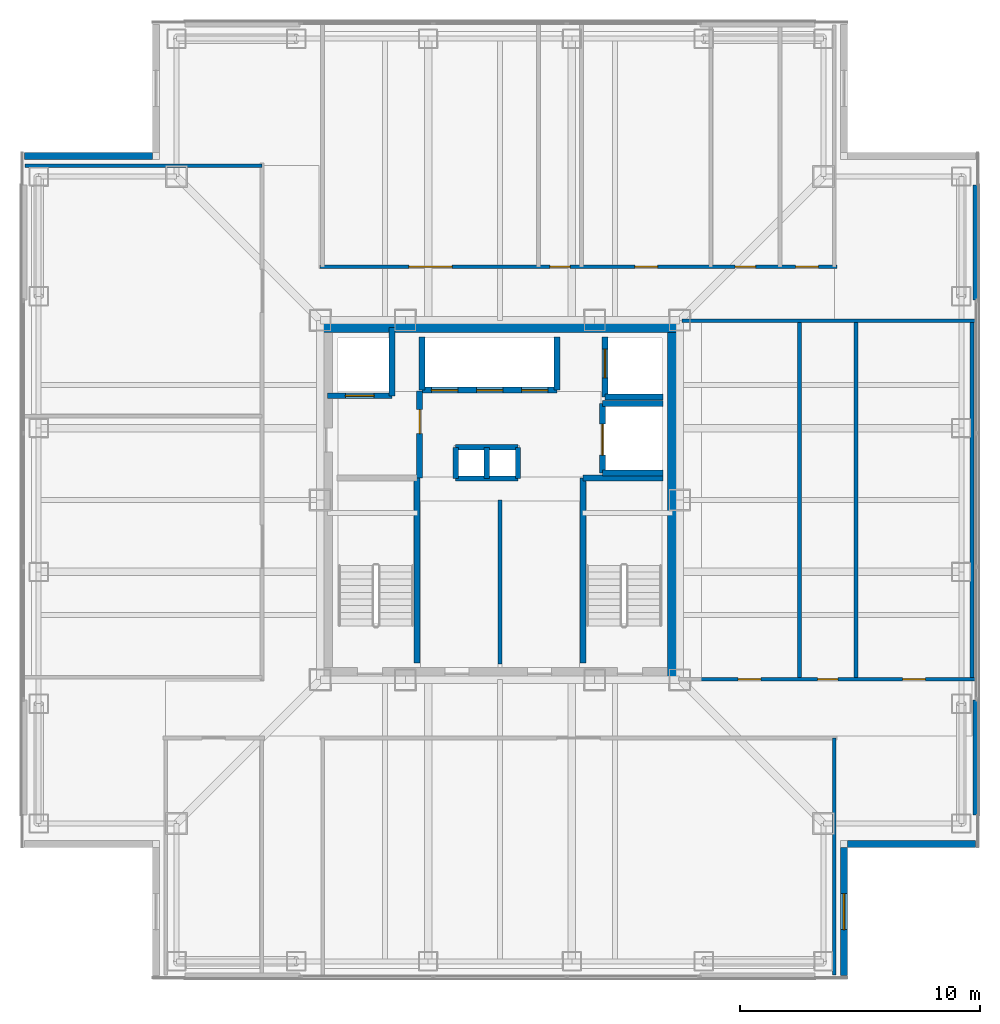
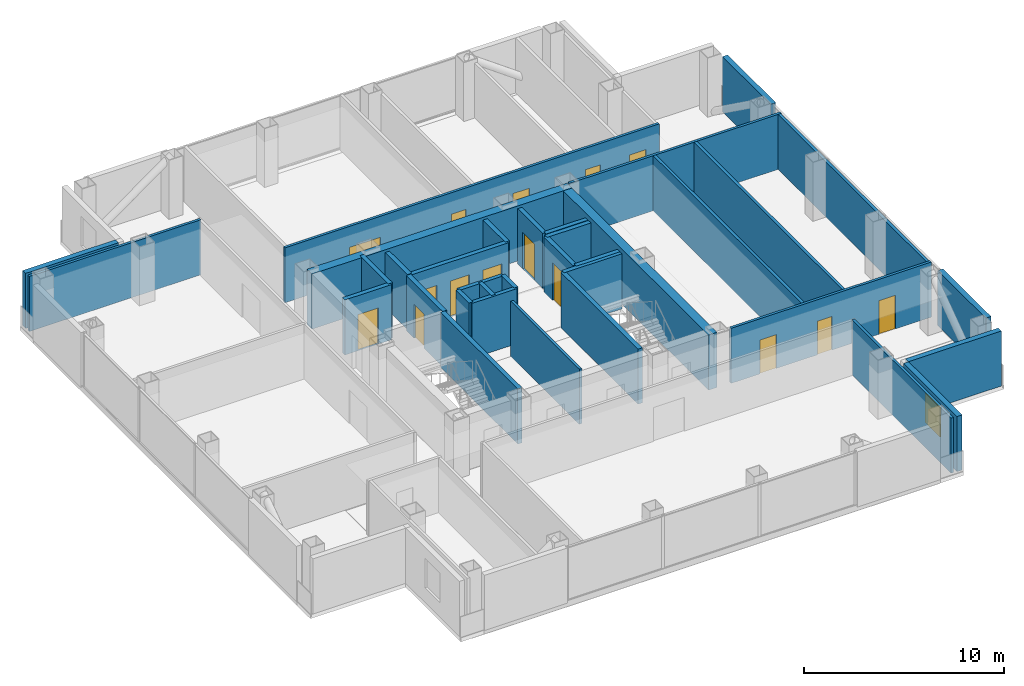
# One storey, part 9 of 16: 35 walls, 15 doors, 1 window, 16 openings.
"""IFC4 building model written with IfcOpenShell, lengths in metres."""

from ifc_helpers import new_model, si_unit, direction, frame, frame_2d, origin, place, context, subcontext, project, spatial, rectangle, extrude, material, layer, layer_set, type_object, element, fill, save


model = new_model("IFC4")

# Units and contexts
model_context = context("Model", 3, precision=1e-05, world=origin(), true_north=direction((0.0, 1.0)))
body_context = subcontext(model_context, "Body", "Model", "MODEL_VIEW")
ifc_project = project(units=[si_unit("LENGTHUNIT", "METRE"), si_unit("AREAUNIT", "SQUARE_METRE"), si_unit("VOLUMEUNIT", "CUBIC_METRE"), si_unit("PLANEANGLEUNIT", "RADIAN"), si_unit("MASSUNIT", "GRAM", prefix="KILO")], contexts=[model_context])

# Site, building, storey
site_placement = place(None, origin())
site = spatial("IfcSite", under=ifc_project, at=site_placement, CompositionType="ELEMENT")
building_placement = place(site_placement, origin())
building = spatial("IfcBuilding", under=site, at=building_placement, Name="Trevonay Congress Spire", CompositionType="ELEMENT")
storey_placement = place(building_placement, frame((0.0, 0.0, 180.60009765625)))
storey = spatial("IfcBuildingStorey", under=building, at=storey_placement, Name="L46", CompositionType="ELEMENT", Elevation=180.60009765625)

# Walls
ifc_material_1 = material(Name="Concrete C50/60", Category="concrete")
ifc_layer_1 = layer(ifc_material_1, 0.5, Name="Concrete C50/60")
ifc_layer_set_1 = layer_set([ifc_layer_1], Name="Concrete C50/60")
wall_type_1 = type_object("IfcWallType", Name="WAL-CORE-500", PredefinedType="SHEAR", material=ifc_layer_set_1)
for number, where, z_axis, x_axis, name in (
    (1, (-7.5, 7.25, 0.0), (0.0, 0.0, 1.0), (1.0, 0.0, 0.0), "L46 North structural core shear wall"),
    (2, (7.25, -7.5, 0.0), (0.0, 0.0, 1.0), (0.0, 1.0, 0.0), "L46 East structural core shear wall"),
):
    element("IfcWall", number, at=place(storey_placement, frame(where, z_axis=z_axis, x_axis=x_axis)), inside=storey, type_object=wall_type_1, Name=name, PredefinedType="SHEAR", context=body_context, shape_type="SweptSolid", body=[
        extrude(rectangle(XDim=15.0, YDim=0.5, at=frame_2d((7.5, 0.0))), origin(), (0.0, 0.0, 1.0), 3.35986328125),
    ])

# Wall, openings, doors
ifc_material_2 = material(Name="Concrete C40/50", Category="concrete")
ifc_layer_2 = layer(ifc_material_2, 0.14990234375, Name="Concrete C40/50")
ifc_layer_set_2 = layer_set([ifc_layer_2], Name="Concrete C40/50")
wall_type_2 = type_object("IfcWallType", Name="WAL-CORR-150", PredefinedType="PARTITIONING", material=ifc_layer_set_2)
wall_1_placement = place(storey_placement, frame((-7.52001953125, 9.72998046875, 0.0), z_axis=(0.0, 0.0, 1.0), x_axis=(1.0, 0.0, 0.0)))
wall_1 = element("IfcWall", 3, at=wall_1_placement, inside=storey, type_object=wall_type_2, Name="L46 interior wall WP-L46N-COR", PredefinedType="PARTITIONING", context=body_context, shape_type="SweptSolid", body=[
    extrude(rectangle(XDim=21.590087890625, YDim=0.14990234375, at=frame_2d((10.794921875, 0.0))), origin(), (0.0, 0.0, 1.0), 3.35986328125),
])
opening_1_placement = place(wall_1_placement, frame((3.719970703125, 0.0, 0.0)))
opening_1 = element("IfcOpeningElement", 4, at=opening_1_placement, cuts=wall_1, Name="Opening D09", PredefinedType="OPENING", context=body_context, shape_type="SweptSolid", body=[
    extrude(rectangle(XDim=1.800048828125, YDim=2.080078125, at=frame_2d((0.89990234375, 1.0400390625))), frame((0.0, 0.0849609375, 0.0), z_axis=(0.0, -1.0, 0.0), x_axis=(1.0, 0.0, 0.0)), (0.0, 0.0, 1.0), 0.169921875),
])
opening_2_placement = place(wall_1_placement, frame((9.60009765625, 0.0, 0.0)))
opening_2 = element("IfcOpeningElement", 5, at=opening_2_placement, cuts=wall_1, Name="Opening D10", PredefinedType="OPENING", context=body_context, shape_type="SweptSolid", body=[
    extrude(rectangle(XDim=0.85009765625, YDim=2.050048828125, at=frame_2d((0.425048828125, 1.02490234375))), frame((0.0, 0.0849609375, 0.0), z_axis=(0.0, -1.0, 0.0), x_axis=(1.0, 0.0, 0.0)), (0.0, 0.0, 1.0), 0.169921875),
])
opening_3_placement = place(wall_1_placement, frame((13.14990234375, 0.0, 0.0)))
opening_3 = element("IfcOpeningElement", 6, at=opening_3_placement, cuts=wall_1, Name="Opening D07", PredefinedType="OPENING", context=body_context, shape_type="SweptSolid", body=[
    extrude(rectangle(XDim=0.949951171875, YDim=2.06005859375, at=frame_2d((0.47509765625, 1.030029296875))), frame((0.0, 0.0849609375, 0.0), z_axis=(0.0, -1.0, 0.0), x_axis=(1.0, 0.0, 0.0)), (0.0, 0.0, 1.0), 0.169921875),
])
opening_4_placement = place(wall_1_placement, frame((17.3349609375, 0.0, 0.0)))
opening_4 = element("IfcOpeningElement", 7, at=opening_4_placement, cuts=wall_1, Name="Opening D10", PredefinedType="OPENING", context=body_context, shape_type="SweptSolid", body=[
    extrude(rectangle(XDim=0.85009765625, YDim=2.050048828125, at=frame_2d((0.425048828125, 1.02490234375))), frame((0.0, 0.0849609375, 0.0), z_axis=(0.0, -1.0, 0.0), x_axis=(1.0, 0.0, 0.0)), (0.0, 0.0, 1.0), 0.169921875),
])
opening_5_placement = place(wall_1_placement, frame((19.860107421875, 0.0, 0.0)))
opening_5 = element("IfcOpeningElement", 8, at=opening_5_placement, cuts=wall_1, Name="Opening D07", PredefinedType="OPENING", context=body_context, shape_type="SweptSolid", body=[
    extrude(rectangle(XDim=0.949951171875, YDim=2.06005859375, at=frame_2d((0.47509765625, 1.030029296875))), frame((0.0, 0.0849609375, 0.0), z_axis=(0.0, -1.0, 0.0), x_axis=(1.0, 0.0, 0.0)), (0.0, 0.0, 1.0), 0.169921875),
])
ifc_material_3 = material(Name="Pale Anodised Aluminium EN AW-6063-T6", Category="aluminium")
door_type_1 = type_object("IfcDoorType", Name="DOR-CONF-DBL", OperationType="DOUBLE_DOOR_SINGLE_SWING", PredefinedType="DOOR", material=ifc_material_3)
door_1_placement = place(opening_1_placement, origin())
door_1 = element("IfcDoor", 9, at=door_1_placement, inside=storey, type_object=door_type_1, Name="L46 Witness Waiting Lounge Door", OperationType="DOUBLE_DOOR_SINGLE_SWING", OverallHeight=2.080078125, OverallWidth=1.800048828125, PredefinedType="DOOR", context=body_context, shape_type="SweptSolid", body=[
    extrude(rectangle(XDim=1.800048828125, YDim=2.080078125, at=frame_2d((0.89990234375, 1.0400390625))), frame((0.0, 0.02490234375, 0.0), z_axis=(0.0, -1.0, 0.0), x_axis=(1.0, 0.0, 0.0)), (0.0, 0.0, 1.0), 0.050048828125),
])
fill(opening_1, door_1)
door_type_2 = type_object("IfcDoorType", Name="DOR-OFFICE-95", OperationType="NOTDEFINED", PredefinedType="DOOR", material=ifc_material_3)
door_2_placement = place(opening_3_placement, origin())
door_2 = element("IfcDoor", 10, at=door_2_placement, inside=storey, type_object=door_type_2, Name="L46 Floor Supplies and Copy Room Door", OperationType="SINGLE_SWING_LEFT", OverallHeight=2.06005859375, OverallWidth=0.949951171875, PredefinedType="DOOR", context=body_context, shape_type="SweptSolid", body=[
    extrude(rectangle(XDim=0.949951171875, YDim=2.06005859375, at=frame_2d((0.47509765625, 1.030029296875))), frame((0.0, 0.02490234375, 0.0), z_axis=(0.0, -1.0, 0.0), x_axis=(1.0, 0.0, 0.0)), (0.0, 0.0, 1.0), 0.050048828125),
])
fill(opening_3, door_2)
door_3_placement = place(opening_5_placement, origin())
door_3 = element("IfcDoor", 11, at=door_3_placement, inside=storey, type_object=door_type_2, Name="L46 Floor Supplies and Copy Room Door", OperationType="SINGLE_SWING_LEFT", OverallHeight=2.06005859375, OverallWidth=0.949951171875, PredefinedType="DOOR", context=body_context, shape_type="SweptSolid", body=[
    extrude(rectangle(XDim=0.949951171875, YDim=2.06005859375, at=frame_2d((0.47509765625, 1.030029296875))), frame((0.0, 0.02490234375, 0.0), z_axis=(0.0, -1.0, 0.0), x_axis=(1.0, 0.0, 0.0)), (0.0, 0.0, 1.0), 0.050048828125),
])
fill(opening_5, door_3)
door_type_3 = type_object("IfcDoorType", Name="DOR-WC-85", OperationType="NOTDEFINED", PredefinedType="DOOR", material=ifc_material_3)
door_4_placement = place(opening_2_placement, origin())
door_4 = element("IfcDoor", 12, at=door_4_placement, inside=storey, type_object=door_type_3, Name="L46 Accessible WC Door", OperationType="SINGLE_SWING_RIGHT", OverallHeight=2.050048828125, OverallWidth=0.85009765625, PredefinedType="DOOR", context=body_context, shape_type="SweptSolid", body=[
    extrude(rectangle(XDim=0.85009765625, YDim=2.050048828125, at=frame_2d((0.425048828125, 1.02490234375))), frame((0.0, 0.02490234375, 0.0), z_axis=(0.0, -1.0, 0.0), x_axis=(1.0, 0.0, 0.0)), (0.0, 0.0, 1.0), 0.050048828125),
])
fill(opening_2, door_4)
door_5_placement = place(opening_4_placement, origin())
door_5 = element("IfcDoor", 13, at=door_5_placement, inside=storey, type_object=door_type_3, Name="L46 Female Restroom WC Door", OperationType="SINGLE_SWING_RIGHT", OverallHeight=2.050048828125, OverallWidth=0.85009765625, PredefinedType="DOOR", context=body_context, shape_type="SweptSolid", body=[
    extrude(rectangle(XDim=0.85009765625, YDim=2.050048828125, at=frame_2d((0.425048828125, 1.02490234375))), frame((0.0, 0.02490234375, 0.0), z_axis=(0.0, -1.0, 0.0), x_axis=(1.0, 0.0, 0.0)), (0.0, 0.0, 1.0), 0.050048828125),
])
fill(opening_4, door_5)

wall_2_placement = place(storey_placement, frame((8.280029296875, -7.47998046875, 0.0), z_axis=(0.0, 0.0, 1.0), x_axis=(1.0, 0.0, 0.0)))
wall_2 = element("IfcWall", 14, at=wall_2_placement, inside=storey, type_object=wall_type_2, Name="L46 interior wall WP-L46E-COR", PredefinedType="PARTITIONING", context=body_context, shape_type="SweptSolid", body=[
    extrude(rectangle(XDim=11.5400390625, YDim=0.14990234375, at=frame_2d((5.77001953125, 0.0))), origin(), (0.0, 0.0, 1.0), 3.35986328125),
])
opening_6_placement = place(wall_2_placement, frame((1.655029296875, 0.0, 0.0)))
opening_6 = element("IfcOpeningElement", 15, at=opening_6_placement, cuts=wall_2, Name="Opening D07", PredefinedType="OPENING", context=body_context, shape_type="SweptSolid", body=[
    extrude(rectangle(XDim=0.949951171875, YDim=2.06005859375, at=frame_2d((0.47509765625, 1.030029296875))), frame((0.0, 0.0849609375, 0.0), z_axis=(0.0, -1.0, 0.0), x_axis=(1.0, 0.0, 0.0)), (0.0, 0.0, 1.0), 0.169921875),
])
opening_7_placement = place(wall_2_placement, frame((4.969970703125, 0.0, 0.0)))
opening_7 = element("IfcOpeningElement", 16, at=opening_7_placement, cuts=wall_2, Name="Opening D10", PredefinedType="OPENING", context=body_context, shape_type="SweptSolid", body=[
    extrude(rectangle(XDim=0.85009765625, YDim=2.050048828125, at=frame_2d((0.425048828125, 1.02490234375))), frame((0.0, 0.0849609375, 0.0), z_axis=(0.0, -1.0, 0.0), x_axis=(1.0, 0.0, 0.0)), (0.0, 0.0, 1.0), 0.169921875),
])
opening_8_placement = place(wall_2_placement, frame((8.52001953125, 0.0, 0.0)))
opening_8 = element("IfcOpeningElement", 17, at=opening_8_placement, cuts=wall_2, Name="Opening D07", PredefinedType="OPENING", context=body_context, shape_type="SweptSolid", body=[
    extrude(rectangle(XDim=0.949951171875, YDim=2.06005859375, at=frame_2d((0.47509765625, 1.030029296875))), frame((0.0, 0.0849609375, 0.0), z_axis=(0.0, -1.0, 0.0), x_axis=(1.0, 0.0, 0.0)), (0.0, 0.0, 1.0), 0.169921875),
])
door_6_placement = place(opening_6_placement, origin())
door_6 = element("IfcDoor", 18, at=door_6_placement, inside=storey, type_object=door_type_2, Name="L46 Hearing Catering Pantry Door", OperationType="SINGLE_SWING_RIGHT", OverallHeight=2.06005859375, OverallWidth=0.949951171875, PredefinedType="DOOR", context=body_context, shape_type="SweptSolid", body=[
    extrude(rectangle(XDim=0.949951171875, YDim=2.06005859375, at=frame_2d((0.47509765625, 1.030029296875))), frame((0.0, 0.02490234375, 0.0), z_axis=(0.0, -1.0, 0.0), x_axis=(1.0, 0.0, 0.0)), (0.0, 0.0, 1.0), 0.050048828125),
])
fill(opening_6, door_6)
door_7_placement = place(opening_8_placement, origin())
door_7 = element("IfcDoor", 19, at=door_7_placement, inside=storey, type_object=door_type_2, Name="L46 Floor Supplies and Copy Room Door", OperationType="SINGLE_SWING_RIGHT", OverallHeight=2.06005859375, OverallWidth=0.949951171875, PredefinedType="DOOR", context=body_context, shape_type="SweptSolid", body=[
    extrude(rectangle(XDim=0.949951171875, YDim=2.06005859375, at=frame_2d((0.47509765625, 1.030029296875))), frame((0.0, 0.02490234375, 0.0), z_axis=(0.0, -1.0, 0.0), x_axis=(1.0, 0.0, 0.0)), (0.0, 0.0, 1.0), 0.050048828125),
])
fill(opening_8, door_7)
door_8_placement = place(opening_7_placement, origin())
door_8 = element("IfcDoor", 20, at=door_8_placement, inside=storey, type_object=door_type_3, Name="L46 Male Restroom WC Door", OperationType="SINGLE_SWING_LEFT", OverallHeight=2.050048828125, OverallWidth=0.85009765625, PredefinedType="DOOR", context=body_context, shape_type="SweptSolid", body=[
    extrude(rectangle(XDim=0.85009765625, YDim=2.050048828125, at=frame_2d((0.425048828125, 1.02490234375))), frame((0.0, 0.02490234375, 0.0), z_axis=(0.0, -1.0, 0.0), x_axis=(1.0, 0.0, 0.0)), (0.0, 0.0, 1.0), 0.050048828125),
])
fill(opening_7, door_8)

# Walls
ifc_material_4 = material(Name="Precast concrete C40/50", Category="concrete")
ifc_layer_3 = layer(ifc_material_4, 0.300048828125, Name="Precast concrete C40/50")
ifc_layer_set_3 = layer_set([ifc_layer_3], Name="Precast concrete C40/50")
wall_type_3 = type_object("IfcWallType", Name="WAL-EXT-PRECAST-300", PredefinedType="SOLIDWALL", material=ifc_layer_set_3)
for number, where, z_axis, x_axis, name in (
    (21, (19.8798828125, -13.14990234375, 0.0), (0.0, 0.0, 1.0), (0.0, 1.0, 0.0), "L46 EL braced-bay exterior pier wall"),
    (22, (19.8798828125, 8.35009765625, 0.0), (0.0, 0.0, 1.0), (0.0, 1.0, 0.0), "L46 ER braced-bay exterior pier wall"),
):
    element("IfcWall", number, at=place(storey_placement, frame(where, z_axis=z_axis, x_axis=x_axis)), inside=storey, type_object=wall_type_3, Name=name, PredefinedType="SOLIDWALL", context=body_context, shape_type="SweptSolid", body=[
        extrude(rectangle(XDim=4.7998046875, YDim=0.300048828125, at=frame_2d((2.39990234375, 0.0))), origin(), (0.0, 0.0, 1.0), 3.35986328125),
    ])

# Wall, opening, window
wall_3_placement = place(storey_placement, frame((14.35009765625, -19.85009765625, 0.0), z_axis=(0.0, 0.0, 1.0), x_axis=(0.0, 1.0, 0.0)))
wall_3 = element("IfcWall", 23, at=wall_3_placement, inside=storey, type_object=wall_type_3, Name="L46 SE re-entrant notch exterior wall 1", PredefinedType="SOLIDWALL", context=body_context, shape_type="SweptSolid", body=[
    extrude(rectangle(XDim=5.35009765625, YDim=0.300048828125, at=frame_2d((2.675048828125, 0.0))), origin(), (0.0, 0.0, 1.0), 3.35986328125),
])
opening_9_placement = place(wall_3_placement, frame((1.925048828125, 0.0, 0.89990234375)))
opening_9 = element("IfcOpeningElement", 24, at=opening_9_placement, cuts=wall_3, Name="Opening WN03", PredefinedType="OPENING", context=body_context, shape_type="SweptSolid", body=[
    extrude(rectangle(XDim=1.5, YDim=1.800048828125, at=frame_2d((0.75, 0.89990234375))), frame((0.0, 0.16015625, 0.0), z_axis=(0.0, -1.0, 0.0), x_axis=(1.0, 0.0, 0.0)), (0.0, 0.0, 1.0), 0.320068359375),
])
ifc_material_5 = material(Name="Insulated Low-E Vision Glass IGU", Category="glass")
window_type = type_object("IfcWindowType", Name="WIN-NOTCH-150X180", PartitioningType="SINGLE_PANEL", PredefinedType="WINDOW", material=ifc_material_5)
window_placement = place(opening_9_placement, origin())
window = element("IfcWindow", 25, at=window_placement, inside=storey, type_object=window_type, Name="L46 SE corner notch window", OverallHeight=1.800048828125, OverallWidth=1.5, PartitioningType="SINGLE_PANEL", PredefinedType="WINDOW", context=body_context, shape_type="SweptSolid", body=[
    extrude(rectangle(XDim=1.5, YDim=1.800048828125, at=frame_2d((0.75, 0.89990234375))), frame((0.0, 0.030029296875, 0.0), z_axis=(0.0, -1.0, 0.0), x_axis=(1.0, 0.0, 0.0)), (0.0, 0.0, 1.0), 0.06005859375),
])
fill(opening_9, window)

# Walls
for number, where, z_axis, x_axis, name in (
    (26, (19.85009765625, -14.35009765625, 0.0), (0.0, 0.0, 1.0), (-1.0, 0.0, 0.0), "L46 SE re-entrant notch exterior wall 2"),
    (27, (-19.85009765625, 14.35009765625, 0.0), (0.0, 0.0, 1.0), (1.0, 0.0, 0.0), "L46 NW re-entrant notch exterior wall 2"),
):
    element("IfcWall", number, at=place(storey_placement, frame(where, z_axis=z_axis, x_axis=x_axis)), inside=storey, type_object=wall_type_3, Name=name, PredefinedType="SOLIDWALL", context=body_context, shape_type="SweptSolid", body=[
        extrude(rectangle(XDim=5.35009765625, YDim=0.300048828125, at=frame_2d((2.675048828125, 0.0))), origin(), (0.0, 0.0, 1.0), 3.35986328125),
    ])
ifc_layer_4 = layer(ifc_material_2, 0.14990234375, Name="Concrete C40/50")
ifc_layer_set_4 = layer_set([ifc_layer_4], Name="Concrete C40/50")
wall_type_4 = type_object("IfcWallType", Name="WAL-PART-150", PredefinedType="PARTITIONING", material=ifc_layer_set_4)
wall_4_placement = place(storey_placement, frame((0.0, -6.85009765625, 0.0), z_axis=(0.0, 0.0, 1.0), x_axis=(0.0, 1.0, 0.0)))
element("IfcWall", 28, at=wall_4_placement, inside=storey, type_object=wall_type_4, Name="L46 interior wall CW-F0-L46", PredefinedType="PARTITIONING", context=body_context, shape_type="SweptSolid", body=[
    extrude(rectangle(XDim=6.85009765625, YDim=0.14990234375, at=frame_2d((3.425048828125, 0.0))), origin(), (0.0, 0.0, 1.0), 3.35986328125),
])
for number, where, z_axis, x_axis, name in (
    (29, (13.949951171875, -19.820068359375, 0.0), (0.0, 0.0, 1.0), (0.0, 1.0, 0.0), "L46 interior wall WP-L46SE-DIV2"),
    (30, (-19.820068359375, 13.949951171875, 0.0), (0.0, 0.0, 1.0), (1.0, 0.0, 0.0), "L46 interior wall WP-L46NW-DIV3"),
):
    element("IfcWall", number, at=place(storey_placement, frame(where, z_axis=z_axis, x_axis=x_axis)), inside=storey, type_object=wall_type_4, Name=name, PredefinedType="PARTITIONING", context=body_context, shape_type="SweptSolid", body=[
        extrude(rectangle(XDim=9.89013671875, YDim=0.14990234375, at=frame_2d((4.945068359375, 0.0))), origin(), (0.0, 0.0, 1.0), 3.35986328125),
    ])
wall_5_placement = place(storey_placement, frame((7.60009765625, 7.47998046875, 0.0), z_axis=(0.0, 0.0, 1.0), x_axis=(1.0, 0.0, 0.0)))
element("IfcWall", 31, at=wall_5_placement, inside=storey, type_object=wall_type_4, Name="L46 interior wall WP-L46E-NCLS", PredefinedType="PARTITIONING", context=body_context, shape_type="SweptSolid", body=[
    extrude(rectangle(XDim=12.219970703125, YDim=0.14990234375, at=frame_2d((6.10986328125, 0.0))), origin(), (0.0, 0.0, 1.0), 3.35986328125),
])
ifc_layer_5 = layer(ifc_material_2, 0.219970703125, Name="Concrete C40/50")
ifc_layer_set_5 = layer_set([ifc_layer_5], Name="Concrete C40/50")
wall_type_5 = type_object("IfcWallType", Name="WAL-SHAFT-220", PredefinedType="PARTITIONING", material=ifc_layer_set_5)
for number, where, z_axis, x_axis, name in (
    (32, (-1.85009765625, 2.199951171875, 0.0), (0.0, 0.0, 1.0), (1.0, 0.0, 0.0), "L46 interior shaft wall WSH-L46-RSR-N"),
    (33, (-1.85009765625, 0.89990234375, 0.0), (0.0, 0.0, 1.0), (1.0, 0.0, 0.0), "L46 interior shaft wall WSH-L46-RSR-S"),
):
    element("IfcWall", number, at=place(storey_placement, frame(where, z_axis=z_axis, x_axis=x_axis)), inside=storey, type_object=wall_type_5, Name=name, PredefinedType="PARTITIONING", context=body_context, shape_type="SweptSolid", body=[
        extrude(rectangle(XDim=2.60009765625, YDim=0.219970703125, at=frame_2d((1.300048828125, 0.0))), origin(), (0.0, 0.0, 1.0), 3.35986328125),
    ])
for number, where, z_axis, x_axis, name in (
    (34, (-0.550048828125, 0.89990234375, 0.0), (0.0, 0.0, 1.0), (0.0, 1.0, 0.0), "L46 interior shaft wall WSH-L46-RSR-M"),
    (35, (0.75, 0.89990234375, 0.0), (0.0, 0.0, 1.0), (0.0, 1.0, 0.0), "L46 interior shaft wall WSH-L46-RSR-E"),
    (36, (-1.85009765625, 0.89990234375, 0.0), (0.0, 0.0, 1.0), (0.0, 1.0, 0.0), "L46 interior shaft wall WSH-L46-RSR-W"),
):
    element("IfcWall", number, at=place(storey_placement, frame(where, z_axis=z_axis, x_axis=x_axis)), inside=storey, type_object=wall_type_5, Name=name, PredefinedType="PARTITIONING", context=body_context, shape_type="SweptSolid", body=[
        extrude(rectangle(XDim=1.300048828125, YDim=0.219970703125, at=frame_2d((0.64990234375, 0.0))), origin(), (0.0, 0.0, 1.0), 3.35986328125),
    ])

# Wall, openings, doors
ifc_layer_6 = layer(ifc_material_2, 0.25, Name="Concrete C40/50")
ifc_layer_set_6 = layer_set([ifc_layer_6], Name="Concrete C40/50")
wall_type_6 = type_object("IfcWallType", Name="WAL-SHAFT-250", PredefinedType="SHEAR", material=ifc_layer_set_6)
wall_6_placement = place(storey_placement, frame((-3.260009765625, 4.580078125, 0.0), z_axis=(0.0, 0.0, 1.0), x_axis=(1.0, 0.0, 0.0)))
wall_6 = element("IfcWall", 37, at=wall_6_placement, inside=storey, type_object=wall_type_6, Name="L46 interior shaft wall WSH-L46-B3-S", PredefinedType="SHEAR", context=body_context, shape_type="SweptSolid", body=[
    extrude(rectangle(XDim=5.639892578125, YDim=0.25, at=frame_2d((2.81982421875, 0.0))), origin(), (0.0, 0.0, 1.0), 3.35986328125),
])
opening_10_placement = place(wall_6_placement, frame((0.39990234375, 0.0, 0.0)))
opening_10 = element("IfcOpeningElement", 38, at=opening_10_placement, cuts=wall_6, Name="Opening LD03", PredefinedType="OPENING", context=body_context, shape_type="SweptSolid", body=[
    extrude(rectangle(XDim=1.10009765625, YDim=2.199951171875, at=frame_2d((0.550048828125, 1.10009765625))), frame((0.0, 0.135009765625, 0.0), z_axis=(0.0, -1.0, 0.0), x_axis=(1.0, 0.0, 0.0)), (0.0, 0.0, 1.0), 0.27001953125),
])
opening_11_placement = place(wall_6_placement, frame((2.280029296875, 0.0, 0.0)))
opening_11 = element("IfcOpeningElement", 39, at=opening_11_placement, cuts=wall_6, Name="Opening LD03", PredefinedType="OPENING", context=body_context, shape_type="SweptSolid", body=[
    extrude(rectangle(XDim=1.10009765625, YDim=2.199951171875, at=frame_2d((0.550048828125, 1.10009765625))), frame((0.0, 0.135009765625, 0.0), z_axis=(0.0, -1.0, 0.0), x_axis=(1.0, 0.0, 0.0)), (0.0, 0.0, 1.0), 0.27001953125),
])
opening_12_placement = place(wall_6_placement, frame((4.159912109375, 0.0, 0.0)))
opening_12 = element("IfcOpeningElement", 40, at=opening_12_placement, cuts=wall_6, Name="Opening LD03", PredefinedType="OPENING", context=body_context, shape_type="SweptSolid", body=[
    extrude(rectangle(XDim=1.10009765625, YDim=2.199951171875, at=frame_2d((0.550048828125, 1.10009765625))), frame((0.0, 0.135009765625, 0.0), z_axis=(0.0, -1.0, 0.0), x_axis=(1.0, 0.0, 0.0)), (0.0, 0.0, 1.0), 0.27001953125),
])
door_type_4 = type_object("IfcDoorType", Name="DOR-LIFT-LD03", OperationType="DOUBLE_DOOR_SLIDING", PredefinedType="DOOR", material=ifc_material_3)
door_9_placement = place(opening_10_placement, origin())
door_9 = element("IfcDoor", 41, at=door_9_placement, inside=storey, type_object=door_type_4, Name="L46 Passenger lift PL-07 landing door", OperationType="DOUBLE_DOOR_SLIDING", OverallHeight=2.199951171875, OverallWidth=1.10009765625, PredefinedType="DOOR", context=body_context, shape_type="SweptSolid", body=[
    extrude(rectangle(XDim=1.10009765625, YDim=2.199951171875, at=frame_2d((0.550048828125, 1.10009765625))), frame((0.0, 0.02490234375, 0.0), z_axis=(0.0, -1.0, 0.0), x_axis=(1.0, 0.0, 0.0)), (0.0, 0.0, 1.0), 0.050048828125),
])
fill(opening_10, door_9)
door_10_placement = place(opening_11_placement, origin())
door_10 = element("IfcDoor", 42, at=door_10_placement, inside=storey, type_object=door_type_4, Name="L46 Passenger lift PL-08 landing door", OperationType="DOUBLE_DOOR_SLIDING", OverallHeight=2.199951171875, OverallWidth=1.10009765625, PredefinedType="DOOR", context=body_context, shape_type="SweptSolid", body=[
    extrude(rectangle(XDim=1.10009765625, YDim=2.199951171875, at=frame_2d((0.550048828125, 1.10009765625))), frame((0.0, 0.02490234375, 0.0), z_axis=(0.0, -1.0, 0.0), x_axis=(1.0, 0.0, 0.0)), (0.0, 0.0, 1.0), 0.050048828125),
])
fill(opening_11, door_10)
door_11_placement = place(opening_12_placement, origin())
door_11 = element("IfcDoor", 43, at=door_11_placement, inside=storey, type_object=door_type_4, Name="L46 Passenger lift PL-09 landing door", OperationType="DOUBLE_DOOR_SLIDING", OverallHeight=2.199951171875, OverallWidth=1.10009765625, PredefinedType="DOOR", context=body_context, shape_type="SweptSolid", body=[
    extrude(rectangle(XDim=1.10009765625, YDim=2.199951171875, at=frame_2d((0.550048828125, 1.10009765625))), frame((0.0, 0.02490234375, 0.0), z_axis=(0.0, -1.0, 0.0), x_axis=(1.0, 0.0, 0.0)), (0.0, 0.0, 1.0), 0.050048828125),
])
fill(opening_12, door_11)

# Walls
for number, where, z_axis, x_axis, name in (
    (44, (-3.260009765625, 4.580078125, 0.0), (0.0, 0.0, 1.0), (0.0, 1.0, 0.0), "L46 interior shaft wall WSH-L46-B3-W"),
    (45, (2.3798828125, 4.580078125, 0.0), (0.0, 0.0, 1.0), (0.0, 1.0, 0.0), "L46 interior shaft wall WSH-L46-B3-E"),
):
    element("IfcWall", number, at=place(storey_placement, frame(where, z_axis=z_axis, x_axis=x_axis)), inside=storey, type_object=wall_type_6, Name=name, PredefinedType="SHEAR", context=body_context, shape_type="SweptSolid", body=[
        extrude(rectangle(XDim=2.219970703125, YDim=0.25, at=frame_2d((1.10986328125, 0.0))), origin(), (0.0, 0.0, 1.0), 3.35986328125),
    ])

# Wall, opening, door
wall_7_placement = place(storey_placement, frame((-7.199951171875, 4.35009765625, 0.0), z_axis=(0.0, 0.0, 1.0), x_axis=(1.0, 0.0, 0.0)))
wall_7 = element("IfcWall", 46, at=wall_7_placement, inside=storey, type_object=wall_type_6, Name="L46 interior shaft wall WSH-L46-FF1-S", PredefinedType="SHEAR", context=body_context, shape_type="SweptSolid", body=[
    extrude(rectangle(XDim=2.699951171875, YDim=0.25, at=frame_2d((1.35009765625, 0.0))), origin(), (0.0, 0.0, 1.0), 3.35986328125),
])
opening_13_placement = place(wall_7_placement, frame((0.75, 0.0, 0.0)))
opening_13 = element("IfcOpeningElement", 47, at=opening_13_placement, cuts=wall_7, Name="Opening LD04", PredefinedType="OPENING", context=body_context, shape_type="SweptSolid", body=[
    extrude(rectangle(XDim=1.199951171875, YDim=2.199951171875, at=frame_2d((0.60009765625, 1.10009765625))), frame((0.0, 0.135009765625, 0.0), z_axis=(0.0, -1.0, 0.0), x_axis=(1.0, 0.0, 0.0)), (0.0, 0.0, 1.0), 0.27001953125),
])
ifc_material_6 = material(Name="Steel ASTM A572 Grade 50", Category="steel")
door_type_5 = type_object("IfcDoorType", Name="DOR-LIFT-LD04", OperationType="DOUBLE_DOOR_SLIDING", PredefinedType="DOOR", material=ifc_material_6)
door_12_placement = place(opening_13_placement, origin())
door_12 = element("IfcDoor", 48, at=door_12_placement, inside=storey, type_object=door_type_5, Name="L46 Firefighting lift FFL-01 landing door", OperationType="DOUBLE_DOOR_SLIDING", OverallHeight=2.199951171875, OverallWidth=1.199951171875, PredefinedType="DOOR", context=body_context, shape_type="SweptSolid", body=[
    extrude(rectangle(XDim=1.199951171875, YDim=2.199951171875, at=frame_2d((0.60009765625, 1.10009765625))), frame((0.0, 0.02490234375, 0.0), z_axis=(0.0, -1.0, 0.0), x_axis=(1.0, 0.0, 0.0)), (0.0, 0.0, 1.0), 0.050048828125),
])
fill(opening_13, door_12)

# Walls
wall_8_placement = place(storey_placement, frame((-4.5, 4.35009765625, 0.0), z_axis=(0.0, 0.0, 1.0), x_axis=(0.0, 1.0, 0.0)))
element("IfcWall", 49, at=wall_8_placement, inside=storey, type_object=wall_type_6, Name="L46 interior shaft wall WSH-L46-FF1-E", PredefinedType="SHEAR", context=body_context, shape_type="SweptSolid", body=[
    extrude(rectangle(XDim=2.849853515625, YDim=0.25, at=frame_2d((1.4248046875, 0.0))), origin(), (0.0, 0.0, 1.0), 3.35986328125),
])
wall_9_placement = place(storey_placement, frame((4.3798828125, 4.300048828125, 0.0), z_axis=(0.0, 0.0, 1.0), x_axis=(1.0, 0.0, 0.0)))
element("IfcWall", 50, at=wall_9_placement, inside=storey, type_object=wall_type_6, Name="L46 interior shaft wall WSH-L46-FF2-S", PredefinedType="SHEAR", context=body_context, shape_type="SweptSolid", body=[
    extrude(rectangle(XDim=2.420166015625, YDim=0.25, at=frame_2d((1.2099609375, 0.0))), origin(), (0.0, 0.0, 1.0), 3.35986328125),
])

# Wall, opening, door
wall_10_placement = place(storey_placement, frame((4.3798828125, 4.300048828125, 0.0), z_axis=(0.0, 0.0, 1.0), x_axis=(0.0, 1.0, 0.0)))
wall_10 = element("IfcWall", 51, at=wall_10_placement, inside=storey, type_object=wall_type_6, Name="L46 interior shaft wall WSH-L46-FF2-W", PredefinedType="SHEAR", context=body_context, shape_type="SweptSolid", body=[
    extrude(rectangle(XDim=2.5, YDim=0.25, at=frame_2d((1.25, 0.0))), origin(), (0.0, 0.0, 1.0), 3.35986328125),
])
opening_14_placement = place(wall_10_placement, frame((0.800048828125, 0.0, 0.0)))
opening_14 = element("IfcOpeningElement", 52, at=opening_14_placement, cuts=wall_10, Name="Opening LD04", PredefinedType="OPENING", context=body_context, shape_type="SweptSolid", body=[
    extrude(rectangle(XDim=1.199951171875, YDim=2.199951171875, at=frame_2d((0.60009765625, 1.10009765625))), frame((0.0, 0.135009765625, 0.0), z_axis=(0.0, -1.0, 0.0), x_axis=(1.0, 0.0, 0.0)), (0.0, 0.0, 1.0), 0.27001953125),
])
door_13_placement = place(opening_14_placement, origin())
door_13 = element("IfcDoor", 53, at=door_13_placement, inside=storey, type_object=door_type_5, Name="L46 Firefighting lift FFL-02 landing door", OperationType="DOUBLE_DOOR_SLIDING", OverallHeight=2.199951171875, OverallWidth=1.199951171875, PredefinedType="DOOR", context=body_context, shape_type="SweptSolid", body=[
    extrude(rectangle(XDim=1.199951171875, YDim=2.199951171875, at=frame_2d((0.60009765625, 1.10009765625))), frame((0.0, 0.02490234375, 0.0), z_axis=(0.0, -1.0, 0.0), x_axis=(1.0, 0.0, 0.0)), (0.0, 0.0, 1.0), 0.050048828125),
])
fill(opening_14, door_13)

wall_11_placement = place(storey_placement, frame((4.280029296875, 1.1201171875, 0.0), z_axis=(0.0, 0.0, 1.0), x_axis=(0.0, 1.0, 0.0)))
wall_11 = element("IfcWall", 54, at=wall_11_placement, inside=storey, type_object=wall_type_6, Name="L46 interior shaft wall WSH-L46-SV-W", PredefinedType="SHEAR", context=body_context, shape_type="SweptSolid", body=[
    extrude(rectangle(XDim=2.89990234375, YDim=0.25, at=frame_2d((1.449951171875, 0.0))), origin(), (0.0, 0.0, 1.0), 3.35986328125),
])
opening_15_placement = place(wall_11_placement, frame((0.75, 0.0, 0.0)))
opening_15 = element("IfcOpeningElement", 55, at=opening_15_placement, cuts=wall_11, Name="Opening LD05", PredefinedType="OPENING", context=body_context, shape_type="SweptSolid", body=[
    extrude(rectangle(XDim=1.300048828125, YDim=2.300048828125, at=frame_2d((0.64990234375, 1.14990234375))), frame((0.0, 0.135009765625, 0.0), z_axis=(0.0, -1.0, 0.0), x_axis=(1.0, 0.0, 0.0)), (0.0, 0.0, 1.0), 0.27001953125),
])
door_type_6 = type_object("IfcDoorType", Name="DOR-LIFT-LD05", OperationType="DOUBLE_DOOR_SLIDING", PredefinedType="DOOR", material=ifc_material_6)
door_14_placement = place(opening_15_placement, origin())
door_14 = element("IfcDoor", 56, at=door_14_placement, inside=storey, type_object=door_type_6, Name="L46 Goods lift SVL-01 landing door", OperationType="DOUBLE_DOOR_SLIDING", OverallHeight=2.300048828125, OverallWidth=1.300048828125, PredefinedType="DOOR", context=body_context, shape_type="SweptSolid", body=[
    extrude(rectangle(XDim=1.300048828125, YDim=2.300048828125, at=frame_2d((0.64990234375, 1.14990234375))), frame((0.0, 0.02490234375, 0.0), z_axis=(0.0, -1.0, 0.0), x_axis=(1.0, 0.0, 0.0)), (0.0, 0.0, 1.0), 0.050048828125),
])
fill(opening_15, door_14)

# Walls
for number, where, z_axis, x_axis, name in (
    (57, (4.280029296875, 1.1201171875, 0.0), (0.0, 0.0, 1.0), (1.0, 0.0, 0.0), "L46 interior shaft wall WSH-L46-SV-S"),
    (58, (4.280029296875, 4.02001953125, 0.0), (0.0, 0.0, 1.0), (1.0, 0.0, 0.0), "L46 interior shaft wall WSH-L46-SV-N"),
):
    element("IfcWall", number, at=place(storey_placement, frame(where, z_axis=z_axis, x_axis=x_axis)), inside=storey, type_object=wall_type_6, Name=name, PredefinedType="SHEAR", context=body_context, shape_type="SweptSolid", body=[
        extrude(rectangle(XDim=2.52001953125, YDim=0.25, at=frame_2d((1.260009765625, 0.0))), origin(), (0.0, 0.0, 1.0), 3.35986328125),
    ])

# Wall, opening, door
wall_12_placement = place(storey_placement, frame((-3.35009765625, 0.919921875, 0.0), z_axis=(0.0, 0.0, 1.0), x_axis=(0.0, 1.0, 0.0)))
wall_12 = element("IfcWall", 59, at=wall_12_placement, inside=storey, type_object=wall_type_6, Name="L46 interior wall CW-FFLW-E-L46", PredefinedType="SHEAR", context=body_context, shape_type="SweptSolid", body=[
    extrude(rectangle(XDim=3.6201171875, YDim=0.25, at=frame_2d((1.81005859375, 0.0))), origin(), (0.0, 0.0, 1.0), 3.35986328125),
])
opening_16_placement = place(wall_12_placement, frame((1.85009765625, 0.0, 0.0)))
opening_16 = element("IfcOpeningElement", 60, at=opening_16_placement, cuts=wall_12, Name="Opening D06", PredefinedType="OPENING", context=body_context, shape_type="SweptSolid", body=[
    extrude(rectangle(XDim=1.0, YDim=2.080078125, at=frame_2d((0.5, 1.0400390625))), frame((0.0, 0.135009765625, 0.0), z_axis=(0.0, -1.0, 0.0), x_axis=(1.0, 0.0, 0.0)), (0.0, 0.0, 1.0), 0.27001953125),
])
door_type_7 = type_object("IfcDoorType", Name="DOR-FIRE-100", OperationType="NOTDEFINED", PredefinedType="DOOR", material=ifc_material_6)
door_15_placement = place(opening_16_placement, origin())
door_15 = element("IfcDoor", 61, at=door_15_placement, inside=storey, type_object=door_type_7, Name="L46 Firefighting Core Lobby Transfer Door", OperationType="SINGLE_SWING_RIGHT", OverallHeight=2.080078125, OverallWidth=1.0, PredefinedType="DOOR", context=body_context, shape_type="SweptSolid", body=[
    extrude(rectangle(XDim=1.0, YDim=2.080078125, at=frame_2d((0.5, 1.0400390625))), frame((0.0, 0.02490234375, 0.0), z_axis=(0.0, -1.0, 0.0), x_axis=(1.0, 0.0, 0.0)), (0.0, 0.0, 1.0), 0.050048828125),
])
fill(opening_16, door_15)

# Walls
ifc_layer_7 = layer(ifc_material_2, 0.25, Name="Concrete C40/50")
ifc_layer_set_7 = layer_set([ifc_layer_7], Name="Concrete C40/50")
wall_type_7 = type_object("IfcWallType", Name="WAL-SHAFT-LB-250", PredefinedType="SHEAR", material=ifc_layer_set_7)
for number, where, z_axis, x_axis, name in (
    (62, (-3.469970703125, -6.800048828125, 0.0), (0.0, 0.0, 1.0), (0.0, 1.0, 0.0), "L46 interior shaft wall WSH-L46-ST1-E"),
    (63, (3.469970703125, -6.800048828125, 0.0), (0.0, 0.0, 1.0), (0.0, 1.0, 0.0), "L46 interior shaft wall WSH-L46-ST2-W"),
):
    element("IfcWall", number, at=place(storey_placement, frame(where, z_axis=z_axis, x_axis=x_axis)), inside=storey, type_object=wall_type_7, Name=name, PredefinedType="SHEAR", context=body_context, shape_type="SweptSolid", body=[
        extrude(rectangle(XDim=7.719970703125, YDim=0.25, at=frame_2d((3.85986328125, 0.0))), origin(), (0.0, 0.0, 1.0), 3.35986328125),
    ])
wall_13_placement = place(storey_placement, frame((3.469970703125, 0.919921875, 0.0), z_axis=(0.0, 0.0, 1.0), x_axis=(1.0, 0.0, 0.0)))
element("IfcWall", 64, at=wall_13_placement, inside=storey, type_object=wall_type_7, Name="L46 interior shaft wall WSH-L46-ST2-N", PredefinedType="SHEAR", context=body_context, shape_type="SweptSolid", body=[
    extrude(rectangle(XDim=3.330078125, YDim=0.25, at=frame_2d((1.6650390625, 0.0))), origin(), (0.0, 0.0, 1.0), 3.35986328125),
])
ifc_layer_8 = layer(ifc_material_2, 0.1650390625, Name="Concrete C40/50")
ifc_layer_set_8 = layer_set([ifc_layer_8], Name="Concrete C40/50")
wall_type_8 = type_object("IfcWallType", Name="WAL-WET-165", PredefinedType="PLUMBINGWALL", material=ifc_layer_set_8)
for number, where, z_axis, x_axis, name in (
    (65, (14.85009765625, -7.47998046875, 0.0), (0.0, 0.0, 1.0), (0.0, 1.0, 0.0), "L46 interior wall WP-L46E-WCS2"),
    (66, (12.5, -7.47998046875, 0.0), (0.0, 0.0, 1.0), (0.0, 1.0, 0.0), "L46 interior wall WP-L46E-DIV1"),
    (67, (19.699951171875, -7.47998046875, 0.0), (0.0, 0.0, 1.0), (0.0, 1.0, 0.0), "L46 interior wall WP-L46E-DIV2"),
):
    element("IfcWall", number, at=place(storey_placement, frame(where, z_axis=z_axis, x_axis=x_axis)), inside=storey, type_object=wall_type_8, Name=name, PredefinedType="PLUMBINGWALL", context=body_context, shape_type="SweptSolid", body=[
        extrude(rectangle(XDim=14.89990234375, YDim=0.1650390625, at=frame_2d((7.449951171875, 0.0))), origin(), (0.0, 0.0, 1.0), 3.35986328125),
    ])

save(model, "model.ifc")
